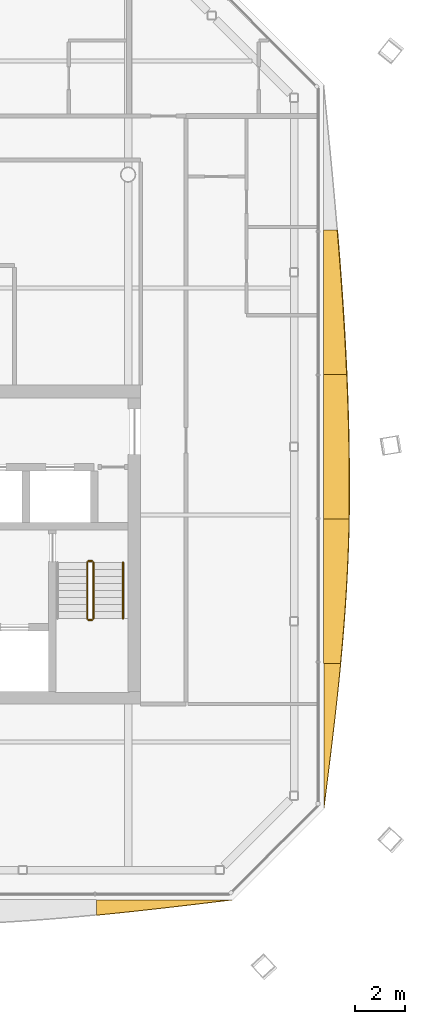
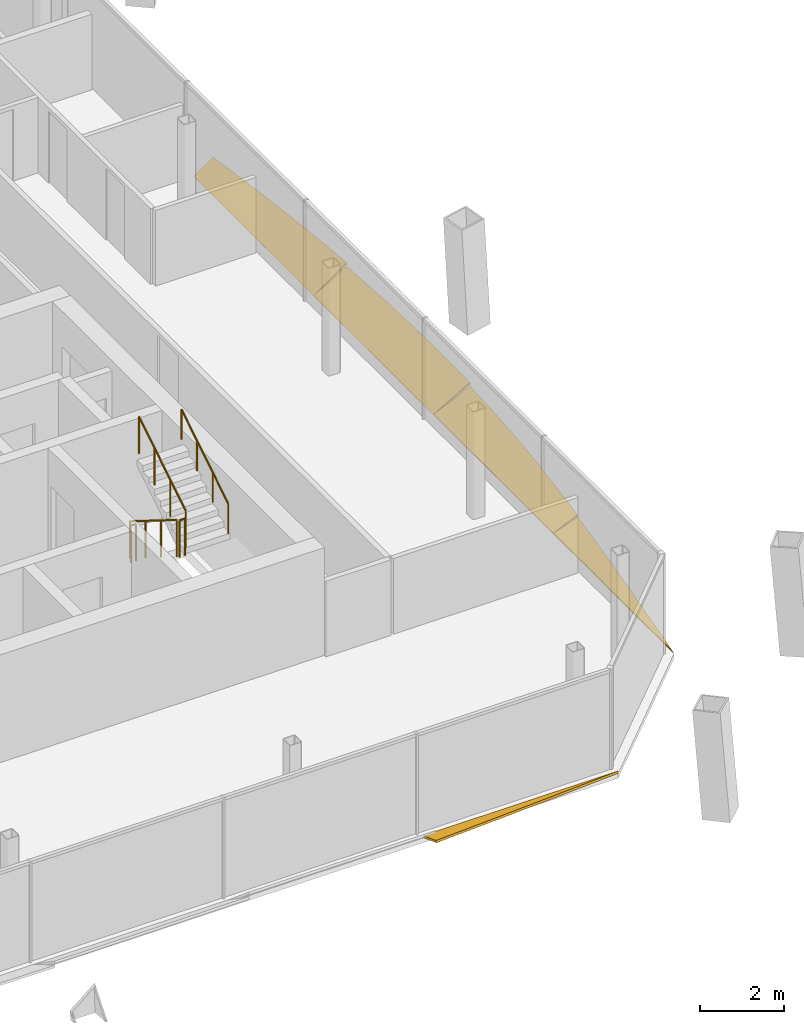
# One storey, part 18 of 19: 5 railings, 5 shading devices.
"""IFC4 building model written with IfcOpenShell, lengths in metres."""

from ifc_helpers import new_model, si_unit, direction, frame, origin, origin_2d, place, context, subcontext, project, spatial, polyline, circle, outline, extrude, material, layer, layer_set, type_object, element, save


model = new_model("IFC4")

# Units and contexts
model_context = context("Model", 3, precision=1e-05, world=origin(), true_north=direction((0.0, 1.0)))
body_context = subcontext(model_context, "Body", "Model", "MODEL_VIEW")
ifc_project = project(units=[si_unit("LENGTHUNIT", "METRE"), si_unit("AREAUNIT", "SQUARE_METRE"), si_unit("VOLUMEUNIT", "CUBIC_METRE"), si_unit("PLANEANGLEUNIT", "RADIAN"), si_unit("MASSUNIT", "GRAM", prefix="KILO")], contexts=[model_context])

# Site, building, storey
site_placement = place(None, origin())
site = spatial("IfcSite", under=ifc_project, at=site_placement, CompositionType="ELEMENT")
building_placement = place(site_placement, origin())
building = spatial("IfcBuilding", under=site, at=building_placement, Name="Tskaro Facet Tower", CompositionType="ELEMENT")
storey_placement = place(building_placement, frame((0.0, 0.0, 203.699951171875)))
storey = spatial("IfcBuildingStorey", under=building, at=storey_placement, Name="L52", CompositionType="ELEMENT", Elevation=203.699951171875)

# Shading devices
ifc_material_1 = material(Name="Bronze anodised aluminium 6063-T6", Category="aluminium")
ifc_layer = layer(ifc_material_1, 0.06005859375, Name="Bronze anodised aluminium 6063-T6")
ifc_layer_set = layer_set([ifc_layer], Name="Bronze anodised aluminium 6063-T6")
shading_device_type = type_object("IfcShadingDeviceType", Name="Bronze sun blade (FN1)", PredefinedType="USERDEFINED", material=ifc_layer_set)
shading_device_1_placement = place(storey_placement, frame((7.75341796875, -19.762451171875, 0.056396484375), z_axis=(-1.4691897e-05, 0.342102627374, 0.939662594833), x_axis=(0.999999999892, 5.026137e-06, 1.3805426e-05)))
element("IfcShadingDevice", 1, at=shading_device_1_placement, inside=storey, type_object=shading_device_type, Name="Fin blade south 6", ObjectType="FIN", PredefinedType="USERDEFINED", context=body_context, shape_type="SweptSolid", body=[
    extrude(outline(polyline([(0.0, 0.0), (5.376464843169741, 0.0), (4.704589843676632, -0.08627011704953327), (4.032470701415167, -0.17222730313657994), (3.360351563145743, -0.2567245091950581), (2.688232420900343, -0.3398241027396438), (2.0161132829577695, -0.4206919656667416), (1.3439941404337103, -0.49884812471532464), (0.6721191397777732, -0.5739172814082303), (-1.176286734590424e-09, -0.6453570949697555), (0.0, 0.0)])), origin(), (0.0, 0.0, -1.0), 0.06005859375),
])
shading_device_2_placement = place(storey_placement, frame((16.762451171875, -16.1298828125, 0.056396484375), z_axis=(-0.341905223151, -4.688995e-06, 0.939734440339), x_axis=(-1.603192e-06, 0.999999999989, 4.40641e-06)))
element("IfcShadingDevice", 2, at=shading_device_2_placement, inside=storey, type_object=shading_device_type, Name="Fin blade east 1", ObjectType="FIN", PredefinedType="USERDEFINED", context=body_context, shape_type="SweptSolid", body=[
    extrude(outline(polyline([(0.0, 0.0), (5.73437499993696, 1.2143011392278446e-21), (5.73437500004794, -0.7089958921648428), (5.017578124921389, -0.6333843990505393), (4.300781250092437, -0.552600048180113), (3.5839843754626544, -0.4674145945692388), (2.8671875002492344, -0.3782868929251188), (2.1503906246467217, -0.28653102592550145), (1.4335937497309008, -0.19223046652525866), (0.7167968746205337, -0.09661582444726727), (0.0, 0.0)])), origin(), (0.0, 0.0, -1.0), 0.06005859375),
])
shading_device_3_placement = place(storey_placement, frame((16.757568359375, -10.3955078125, 0.054443359375), z_axis=(-0.422577772706, 1.4558e-07, 0.906326666283), x_axis=(6.1519e-08, 1.0, -1.31943e-07)))
element("IfcShadingDevice", 3, at=shading_device_3_placement, inside=storey, type_object=shading_device_type, Name="Fin blade east 2", ObjectType="FIN", PredefinedType="USERDEFINED", context=body_context, shape_type="SweptSolid", body=[
    extrude(outline(polyline([(0.0, 0.0), (5.73461914062494, 3.794852618800404e-23), (5.734619140634433, -1.111136366047155), (5.017822265628918, -1.0925672672434226), (4.301025390610956, -1.0651486941775041), (3.584228515610587, -1.0293231891669203), (2.8674316406428306, -0.985312023370432), (2.150634765611048, -0.933424701992657), (1.4338378906247227, -0.8741187017067981), (0.7170410156344488, -0.8078216304746944), (1.3051822610381331e-11, -0.7350791990154064), (0.0, 0.0)])), origin(), (0.0, 0.0, -1.0), 0.06005859375),
])
shading_device_4_placement = place(storey_placement, frame((16.7529296875, -4.660888671875, 0.052001953125), z_axis=(-0.499967883938, -1.1209304e-05, 0.866043945135), x_axis=(-5.604292e-06, 0.999999999937, 9.70775e-06)))
element("IfcShadingDevice", 4, at=shading_device_4_placement, inside=storey, type_object=shading_device_type, Name="Fin blade east 3", ObjectType="FIN", PredefinedType="USERDEFINED", context=body_context, shape_type="SweptSolid", body=[
    extrude(outline(polyline([(0.0, 0.0), (5.734619140264727, 4.857411352064517e-21), (5.734619140822645, -1.0585755338456364), (5.017822266947956, -1.091613853595899), (4.301025389260831, -1.1193815665050866), (3.584228515237852, -1.1416999244964325), (2.8674316401389066, -1.1583248026265918), (2.1506347653322297, -1.1690447643855084), (1.4338378904514075, -1.1744047452649666), (1.1469726557280149, -1.174949680756751), (0.7167968756042843, -1.1733148742813984), (-8.67210091428443e-10, -1.1628063490325378), (0.0, 0.0)])), origin(), (0.0, 0.0, -1.0), 0.06005859375),
])
shading_device_5_placement = place(storey_placement, frame((16.74853515625, 1.07373046875, 0.04931640625), z_axis=(-0.573466828771, -1.2372736e-05, 0.819228781322), x_axis=(-7.095354e-06, 0.999999999923, 1.0136101e-05)))
element("IfcShadingDevice", 5, at=shading_device_5_placement, inside=storey, type_object=shading_device_type, Name="Fin blade east 4", ObjectType="FIN", PredefinedType="USERDEFINED", context=body_context, shape_type="SweptSolid", body=[
    extrude(outline(polyline([(0.0, 0.0), (5.734619140186059, 0.0), (5.734619140388774, -0.6607057438111569), (5.017822264448903, -0.7327685512244391), (4.3010253894991255, -0.8013112219172293), (3.5842285165293384, -0.8657937352861136), (2.8674316405902722, -0.9259360782310845), (2.150634765888827, -0.9816782502754404), (1.4338378916826309, -1.0326802378424724), (0.7167968741296994, -1.078462020805468), (-1.3131071200123902e-09, -1.118963598687726), (0.0, 0.0)])), origin(), (0.0, 0.0, -1.0), 0.06005859375),
])

# Railings
ifc_material_2 = material(Name="Stainless steel", Category="steel")
railing_type_1 = type_object("IfcRailingType", Name="RL-GUARD-1100", PredefinedType="GUARDRAIL", material=ifc_material_2)
railing_1_placement = place(storey_placement, frame((7.375, -6.375, 0.175048828125)))
element("IfcRailing", 6, at=railing_1_placement, inside=storey, type_object=railing_type_1, Name="L52 ST-2 stair guard 1", PredefinedType="GUARDRAIL", context=body_context, shape_type="SweptSolid", body=[
    extrude(circle(Radius=0.02392578125, at=origin_2d()), frame((0.0, 0.0, 1.076171875), z_axis=(0.0, -0.848013881152, 0.529974015752), x_axis=(1.0, 0.0, 0.0)), (0.0, 0.0, 1.0), 2.641357421875),
    extrude(circle(Radius=0.02099609375, at=origin_2d()), origin(), (0.0, 0.0, 1.0), 1.052001953125),
    extrude(circle(Radius=0.02099609375, at=origin_2d()), frame((0.0, -0.74658203125, 0.466552734375)), (0.0, 0.0, 1.0), 1.052001953125),
    extrude(circle(Radius=0.02099609375, at=origin_2d()), frame((0.0, -1.493408203125, 0.933349609375)), (0.0, 0.0, 1.0), 1.052001953125),
    extrude(circle(Radius=0.02099609375, at=origin_2d()), frame((0.0, -2.239990234375, 1.39990234375)), (0.0, 0.0, 1.0), 1.052001953125),
])
railing_2_placement = place(storey_placement, frame((7.425048828125, -8.6650390625, 1.574951171875)))
element("IfcRailing", 7, at=railing_2_placement, inside=storey, type_object=railing_type_1, Name="L52 ST-2 stair guard 2", PredefinedType="GUARDRAIL", context=body_context, shape_type="SweptSolid", body=[
    extrude(circle(Radius=0.02392578125, at=origin_2d()), frame((0.0, 0.0, 1.076171875), z_axis=(1.0, 0.0, 0.0), x_axis=(0.0, 1.0, 0.0)), (0.0, 0.0, 1.0), 0.14990234375),
    extrude(circle(Radius=0.02099609375, at=origin_2d()), origin(), (0.0, 0.0, 1.0), 1.052001953125),
    extrude(circle(Radius=0.02099609375, at=origin_2d()), frame((0.14990234375, 0.0, 0.0)), (0.0, 0.0, 1.0), 1.052001953125),
])
railing_3_placement = place(storey_placement, frame((7.625, -8.614990234375, 1.75)))
element("IfcRailing", 8, at=railing_3_placement, inside=storey, type_object=railing_type_1, Name="L52 ST-2 stair guard 3", PredefinedType="GUARDRAIL", context=body_context, shape_type="SweptSolid", body=[
    extrude(circle(Radius=0.02392578125, at=origin_2d()), frame((0.0, 0.0, 1.076171875), z_axis=(0.0, 0.847972341737, 0.530040477369), x_axis=(-1.0, 0.0, 0.0)), (0.0, 0.0, 1.0), 2.6416015625),
    extrude(circle(Radius=0.02099609375, at=origin_2d()), origin(), (0.0, 0.0, 1.0), 1.052001953125),
    extrude(circle(Radius=0.02099609375, at=origin_2d()), frame((0.0, 0.74658203125, 0.466796875)), (0.0, 0.0, 1.0), 1.052001953125),
    extrude(circle(Radius=0.02099609375, at=origin_2d()), frame((0.0, 1.493408203125, 0.933349609375)), (0.0, 0.0, 1.0), 1.052001953125),
    extrude(circle(Radius=0.02099609375, at=origin_2d()), frame((0.0, 2.239990234375, 1.400146484375)), (0.0, 0.0, 1.0), 1.052001953125),
])
railing_4_placement = place(storey_placement, frame((7.425048828125, -6.324951171875, 0.0)))
element("IfcRailing", 9, at=railing_4_placement, inside=storey, type_object=railing_type_1, Name="L52 ST-2 stair guard 4", PredefinedType="GUARDRAIL", context=body_context, shape_type="SweptSolid", body=[
    extrude(circle(Radius=0.02392578125, at=origin_2d()), frame((0.0, 0.0, 1.076171875), z_axis=(1.0, 0.0, 0.0), x_axis=(0.0, 1.0, 0.0)), (0.0, 0.0, 1.0), 0.14990234375),
    extrude(circle(Radius=0.02099609375, at=origin_2d()), origin(), (0.0, 0.0, 1.0), 1.052001953125),
    extrude(circle(Radius=0.02099609375, at=origin_2d()), frame((0.14990234375, 0.0, 0.0)), (0.0, 0.0, 1.0), 1.052001953125),
])
railing_type_2 = type_object("IfcRailingType", Name="RL-HANDRAIL-900", PredefinedType="HANDRAIL", material=ifc_material_2)
railing_5_placement = place(storey_placement, frame((8.800048828125, -8.614990234375, 1.75)))
element("IfcRailing", 10, at=railing_5_placement, inside=storey, type_object=railing_type_2, Name="L52 ST-2 stair handrail 2", PredefinedType="HANDRAIL", context=body_context, shape_type="SweptSolid", body=[
    extrude(circle(Radius=0.02392578125, at=origin_2d()), frame((0.0, 0.0, 0.8759765625), z_axis=(0.0, 0.847972341737, 0.530040477369), x_axis=(-1.0, 0.0, 0.0)), (0.0, 0.0, 1.0), 2.6416015625),
    extrude(circle(Radius=0.02099609375, at=origin_2d()), origin(), (0.0, 0.0, 1.0), 0.851806640625),
    extrude(circle(Radius=0.02099609375, at=origin_2d()), frame((0.0, 0.74658203125, 0.466796875)), (0.0, 0.0, 1.0), 0.851806640625),
    extrude(circle(Radius=0.02099609375, at=origin_2d()), frame((0.0, 1.493408203125, 0.933349609375)), (0.0, 0.0, 1.0), 0.851806640625),
    extrude(circle(Radius=0.02099609375, at=origin_2d()), frame((0.0, 2.239990234375, 1.400146484375)), (0.0, 0.0, 1.0), 0.851806640625),
])

save(model, "model.ifc")
